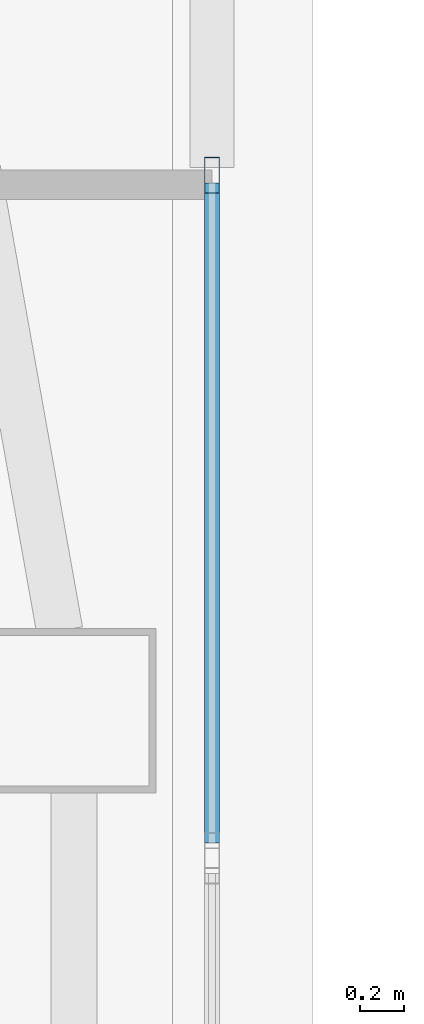
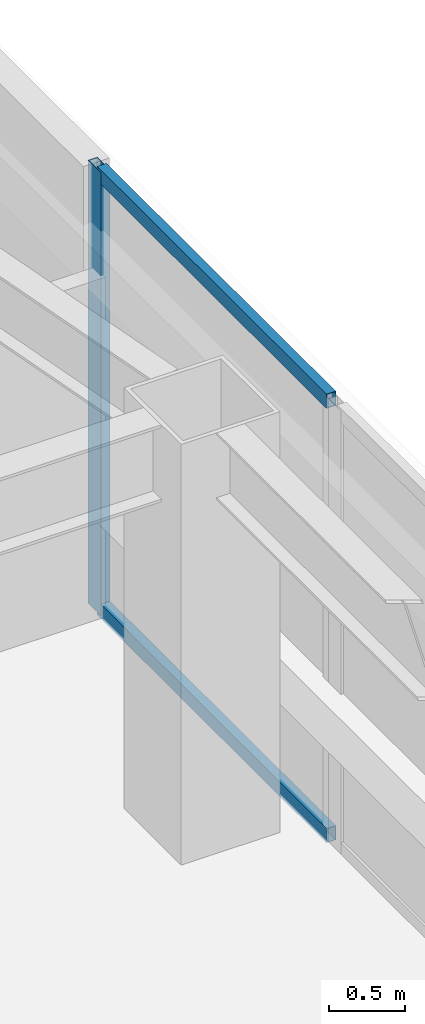
# One storey, part 12 of 39: 3 members, 1 element without a shape of its own.
"""IFC4 building model written with IfcOpenShell, lengths in metres."""

from ifc_helpers import new_model, si_unit, direction, frame, origin, origin_2d, place, context, subcontext, project, spatial, hollow_rectangle, extrude, material, material_profile, profile_set, type_object, element, aggregate, save


model = new_model("IFC4")

# Units and contexts
model_context = context("Model", 3, precision=1e-05, world=origin(), true_north=direction((0.0, 1.0)))
body_context = subcontext(model_context, "Body", "Model", "MODEL_VIEW")
ifc_project = project(units=[si_unit("LENGTHUNIT", "METRE"), si_unit("AREAUNIT", "SQUARE_METRE"), si_unit("VOLUMEUNIT", "CUBIC_METRE"), si_unit("PLANEANGLEUNIT", "RADIAN"), si_unit("MASSUNIT", "GRAM", prefix="KILO")], contexts=[model_context])

# Site, building, storey
site_placement = place(None, origin())
site = spatial("IfcSite", under=ifc_project, at=site_placement, CompositionType="ELEMENT")
building_placement = place(site_placement, origin())
building = spatial("IfcBuilding", under=site, at=building_placement, Name="Tashvorn Skyway Center", CompositionType="ELEMENT")
storey_placement = place(building_placement, frame((0.0, 0.0, 225.5)))
storey = spatial("IfcBuildingStorey", under=building, at=storey_placement, Name="L61", CompositionType="ELEMENT", Elevation=225.5)

# Curtain wall, members
ifc_material = material(Name="Thermally broken bronze-anodized aluminium 6063-T6", Category="aluminium")
curtain_wall_type = type_object("IfcCurtainWallType", Name="CW-CW-Z5", PredefinedType="NOTDEFINED", material=ifc_material)
curtain_wall_placement = place(storey_placement, origin())
curtain_wall = element("IfcCurtainWall", 1, at=curtain_wall_placement, inside=storey, type_object=curtain_wall_type, Name="Tower 1 L61 East Unitised Curtain Wall Glazing Group 1", PredefinedType="NOTDEFINED")
ifc_material_profile_1 = material_profile(ifc_material, hollow_rectangle(XDim=0.070068359375, YDim=0.1650390625, WallThickness=0.00390625, at=origin_2d()), Name="ALU-MULL-70x165")
ifc_profile_set_1 = profile_set([ifc_material_profile_1], Name="Thermally broken bronze-anodized aluminium 6063-T6")
member_type_1 = type_object("IfcMemberType", Name="CWM-CW-Z5", PredefinedType="MULLION", material=ifc_profile_set_1)
member_1_placement = place(storey_placement, frame((58.280029296875, 39.8427734375, 0.0), z_axis=(0.0, 0.0, 1.0), x_axis=(1.0, 0.0, 0.0)))
member_1 = element("IfcMember", 2, at=member_1_placement, type_object=member_type_1, Name="CW-Z5 mullion 1", PredefinedType="MULLION", context=body_context, shape_type="SweptSolid", body=[
    extrude(hollow_rectangle(XDim=0.070068359375, YDim=0.1650390625, WallThickness=0.00390625, at=origin_2d()), origin(), (0.0, 0.0, 1.0), 3.550048828125),
])
ifc_material_profile_2 = material_profile(ifc_material, hollow_rectangle(XDim=0.070068359375, YDim=0.114990234375, WallThickness=0.00390625, at=origin_2d()), Name="ALU-TRAN-70x115")
ifc_profile_set_2 = profile_set([ifc_material_profile_2], Name="Thermally broken bronze-anodized aluminium 6063-T6")
member_type_2 = type_object("IfcMemberType", Name="CWT-CW-Z5", PredefinedType="USERDEFINED", material=ifc_profile_set_2)
member_2_placement = place(storey_placement, frame((58.280029296875, 39.807861328125, 0.034912109375), z_axis=(0.0, -1.0, 0.0), x_axis=(1.0, 0.0, 0.0)))
member_2 = element("IfcMember", 3, at=member_2_placement, type_object=member_type_2, Name="CW-Z5 transom 1.1", ObjectType="TRANSOM", PredefinedType="USERDEFINED", context=body_context, shape_type="SweptSolid", body=[
    extrude(hollow_rectangle(XDim=0.070068359375, YDim=0.114990234375, WallThickness=0.00390625, at=origin_2d()), origin(), (0.0, 0.0, 1.0), 3.01123046875),
])
member_3_placement = place(storey_placement, frame((58.280029296875, 39.807861328125, 3.514892578125), z_axis=(0.0, -1.0, 0.0), x_axis=(1.0, 0.0, 0.0)))
member_3 = element("IfcMember", 4, at=member_3_placement, type_object=member_type_2, Name="CW-Z5 transom 1.2", ObjectType="TRANSOM", PredefinedType="USERDEFINED", context=body_context, shape_type="SweptSolid", body=[
    extrude(hollow_rectangle(XDim=0.070068359375, YDim=0.114990234375, WallThickness=0.00390625, at=origin_2d()), origin(), (0.0, 0.0, 1.0), 3.01123046875),
])
aggregate(curtain_wall, [member_1, member_2, member_3])

save(model, "model.ifc")
